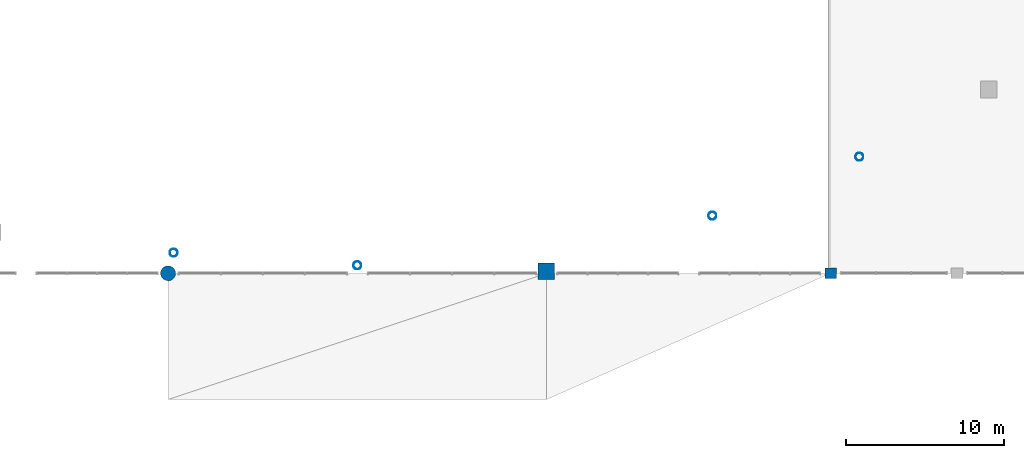
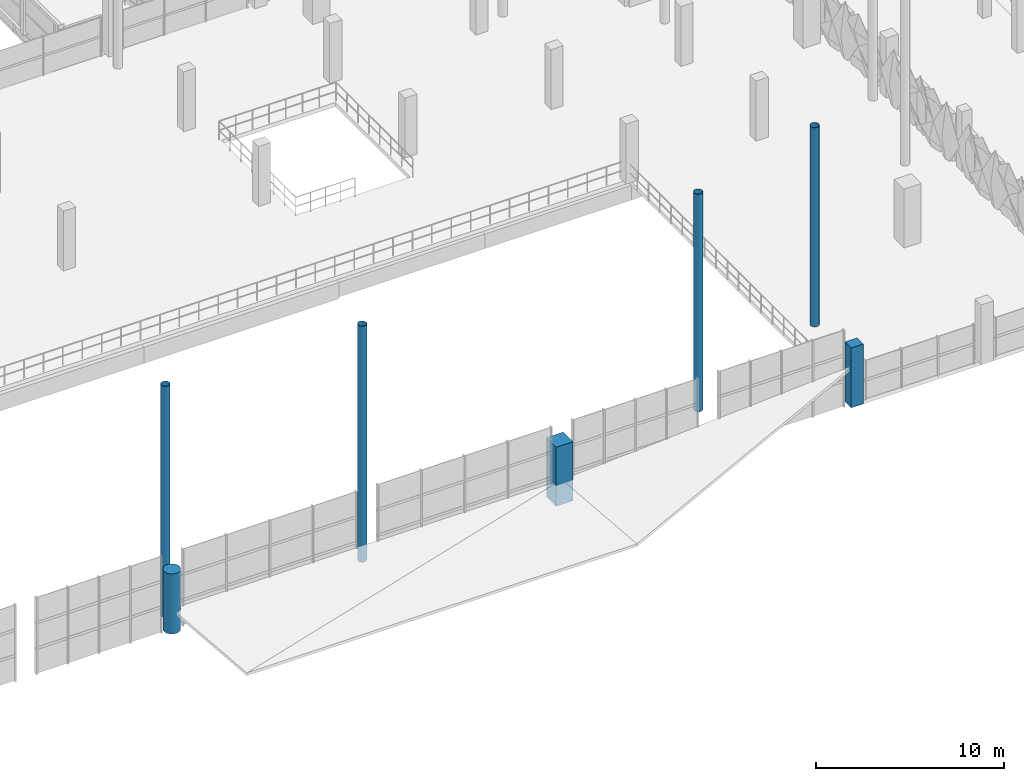
# One storey, part 5 of 123: 7 columns.
"""IFC4 building model written with IfcOpenShell, lengths in metres."""

from ifc_helpers import new_model, si_unit, derived_unit, direction, frame, origin, origin_2d, place, context, subcontext, project, spatial, rectangle, circle, hollow_circle, extrude, material, material_profile, profile_set, type_object, element, save


model = new_model("IFC4")

# Units and contexts
model_context = context("Model", 3, precision=1e-05, world=origin(), true_north=direction((0.0, 1.0)))
body_context = subcontext(model_context, "Body", "Model", "MODEL_VIEW")
ifc_project = project(units=[si_unit("LENGTHUNIT", "METRE"), si_unit("AREAUNIT", "SQUARE_METRE"), si_unit("VOLUMEUNIT", "CUBIC_METRE"), si_unit("PLANEANGLEUNIT", "RADIAN"), si_unit("MASSUNIT", "GRAM", prefix="KILO"), si_unit("THERMODYNAMICTEMPERATUREUNIT", "KELVIN"), derived_unit("THERMALTRANSMITTANCEUNIT", [(si_unit("POWERUNIT", "WATT"), 1), (si_unit("AREAUNIT", "SQUARE_METRE"), -1), (si_unit("THERMODYNAMICTEMPERATUREUNIT", "KELVIN"), -1)])], contexts=[model_context])

# Site, building, storey
site_placement = place(None, origin())
site = spatial("IfcSite", under=ifc_project, at=site_placement, CompositionType="ELEMENT")
building_placement = place(site_placement, origin())
building = spatial("IfcBuilding", under=site, at=building_placement, Name="Haiyu Intermodal Mobility Hub", CompositionType="ELEMENT")
storey_placement = place(building_placement, frame((0.0, 0.0, 5.60009765625)))
storey = spatial("IfcBuildingStorey", under=building, at=storey_placement, Name="L01", CompositionType="ELEMENT", Elevation=5.60009765625)

# Columns
ifc_material_1 = material(Name="Concrete C40", Category="concrete")
ifc_material_profile_1 = material_profile(ifc_material_1, rectangle(XDim=0.75, YDim=0.64990234375, at=origin_2d()), Name="RC750x650")
ifc_profile_set_1 = profile_set([ifc_material_profile_1], Name="Concrete C40")
column_type_1 = type_object("IfcColumnType", Name="COL-CC07-EXT", PredefinedType="COLUMN", material=ifc_profile_set_1)
column_1_placement = place(storey_placement, frame((138.0, 40.0, 0.0), z_axis=(0.0, 0.0, 1.0), x_axis=(1.0, 0.0, 0.0)))
element("IfcColumn", 1, at=column_1_placement, inside=storey, type_object=column_type_1, Name="Column V1-15D L01", PredefinedType="COLUMN", context=body_context, shape_type="SweptSolid", body=[
    extrude(rectangle(XDim=0.75, YDim=0.64990234375, at=origin_2d()), origin(), (0.0, 0.0, 1.0), 3.89990234375),
])
ifc_material_profile_2 = material_profile(ifc_material_1, rectangle(XDim=1.050048828125, YDim=1.050048828125, at=origin_2d()), Name="RC1050x1050")
ifc_profile_set_2 = profile_set([ifc_material_profile_2], Name="Concrete C40")
column_type_2 = type_object("IfcColumnType", Name="COL-CC12-EXT", PredefinedType="COLUMN", material=ifc_profile_set_2)
column_2_placement = place(storey_placement, frame((119.95703125, 40.14208984375, 0.0), z_axis=(0.0, 0.0, 1.0), x_axis=(1.0, 0.0, 0.0)))
element("IfcColumn", 2, at=column_2_placement, inside=storey, type_object=column_type_2, Name="Column MP-07 L01", PredefinedType="COLUMN", context=body_context, shape_type="SweptSolid", body=[
    extrude(rectangle(XDim=1.050048828125, YDim=1.050048828125, at=origin_2d()), origin(), (0.0, 0.0, 1.0), 3.8349609375),
])
ifc_material_profile_3 = material_profile(ifc_material_1, circle(Radius=0.47509765625, at=origin_2d()), Name="RCCOL-D950")
ifc_profile_set_3 = profile_set([ifc_material_profile_3], Name="Concrete C40")
column_type_3 = type_object("IfcColumnType", Name="COL-CR03-EXT", PredefinedType="COLUMN", material=ifc_profile_set_3)
column_3_placement = place(storey_placement, frame((96.0, 40.0, 0.0), z_axis=(0.0, 0.0, 1.0), x_axis=(1.0, 0.0, 0.0)))
element("IfcColumn", 3, at=column_3_placement, inside=storey, type_object=column_type_3, Name="Column V1-11D L01", PredefinedType="COLUMN", context=body_context, shape_type="SweptSolid", body=[
    extrude(circle(Radius=0.47509765625, at=origin_2d()), origin(), (0.0, 0.0, 1.0), 3.89990234375),
])
ifc_material_2 = material(Name="Steel Q355C", Category="steel")
ifc_material_profile_4 = material_profile(ifc_material_2, hollow_circle(Radius=0.25390625, WallThickness=0.01611328125, at=origin_2d()), Name="CHS508x16")
ifc_profile_set_4 = profile_set([ifc_material_profile_4], Name="Steel Q355C")
column_type_4 = type_object("IfcColumnType", Name="COL-SC02-EXT", PredefinedType="COLUMN", material=ifc_profile_set_4)
column_4_placement = place(storey_placement, frame((96.35302734375, 41.301025390625, 0.0), z_axis=(0.0, 0.0, 1.0), x_axis=(1.0, 0.0, 0.0)))
element("IfcColumn", 4, at=column_4_placement, inside=storey, type_object=column_type_4, Name="Column RCOL-18 L01", PredefinedType="COLUMN", context=body_context, shape_type="SweptSolid", body=[
    extrude(hollow_circle(Radius=0.25390625, WallThickness=0.01611328125, at=origin_2d()), origin(), (0.0, 0.0, 1.0), 15.037841796875),
])
column_5_placement = place(storey_placement, frame((108.0, 40.5, 0.0), z_axis=(0.0, 0.0, 1.0), x_axis=(1.0, 0.0, 0.0)))
element("IfcColumn", 5, at=column_5_placement, inside=storey, type_object=column_type_4, Name="Column RCOL-19 L01", PredefinedType="COLUMN", context=body_context, shape_type="SweptSolid", body=[
    extrude(hollow_circle(Radius=0.25390625, WallThickness=0.01611328125, at=origin_2d()), origin(), (0.0, 0.0, 1.0), 15.35986328125),
])
column_6_placement = place(storey_placement, frame((130.5, 43.64794921875, 0.0), z_axis=(0.0, 0.0, 1.0), x_axis=(1.0, 0.0, 0.0)))
element("IfcColumn", 6, at=column_6_placement, inside=storey, type_object=column_type_4, Name="Column RCOL-21 L01", PredefinedType="COLUMN", context=body_context, shape_type="SweptSolid", body=[
    extrude(hollow_circle(Radius=0.25390625, WallThickness=0.01611328125, at=origin_2d()), origin(), (0.0, 0.0, 1.0), 14.159912109375),
])
column_7_placement = place(storey_placement, frame((139.820068359375, 47.383056640625, 0.0), z_axis=(0.0, 0.0, 1.0), x_axis=(1.0, 0.0, 0.0)))
element("IfcColumn", 7, at=column_7_placement, inside=storey, type_object=column_type_4, Name="Column RCOL-22 L01", PredefinedType="COLUMN", context=body_context, shape_type="SweptSolid", body=[
    extrude(hollow_circle(Radius=0.25390625, WallThickness=0.01611328125, at=origin_2d()), origin(), (0.0, 0.0, 1.0), 12.9599609375),
])

save(model, "model.ifc")
